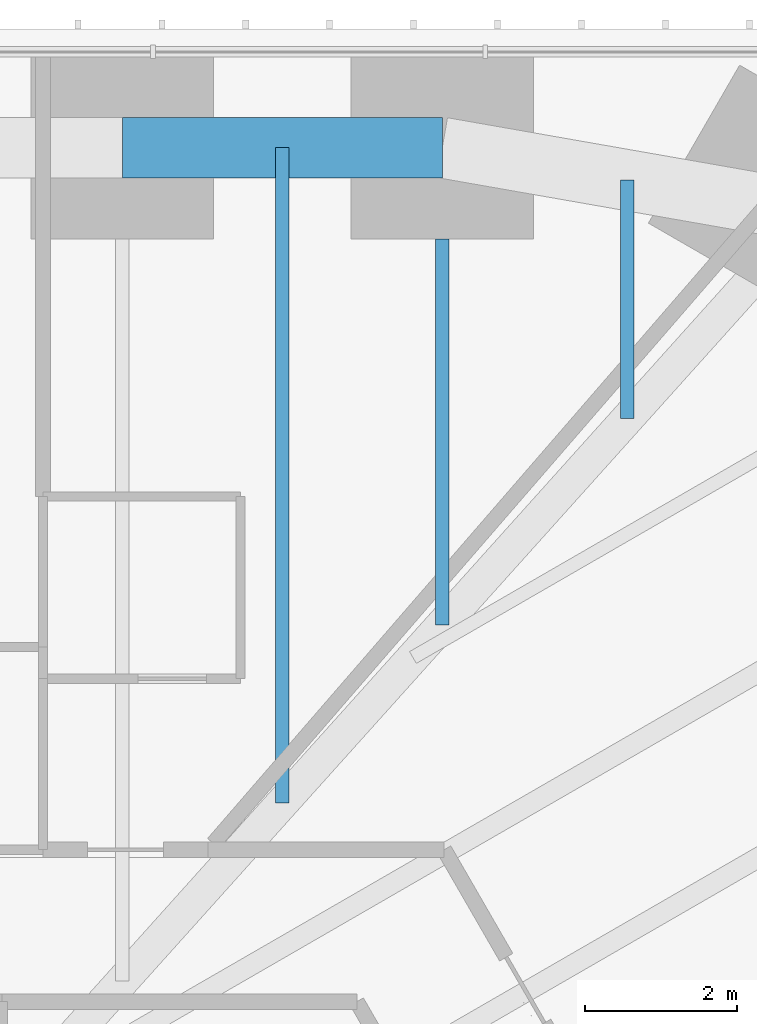
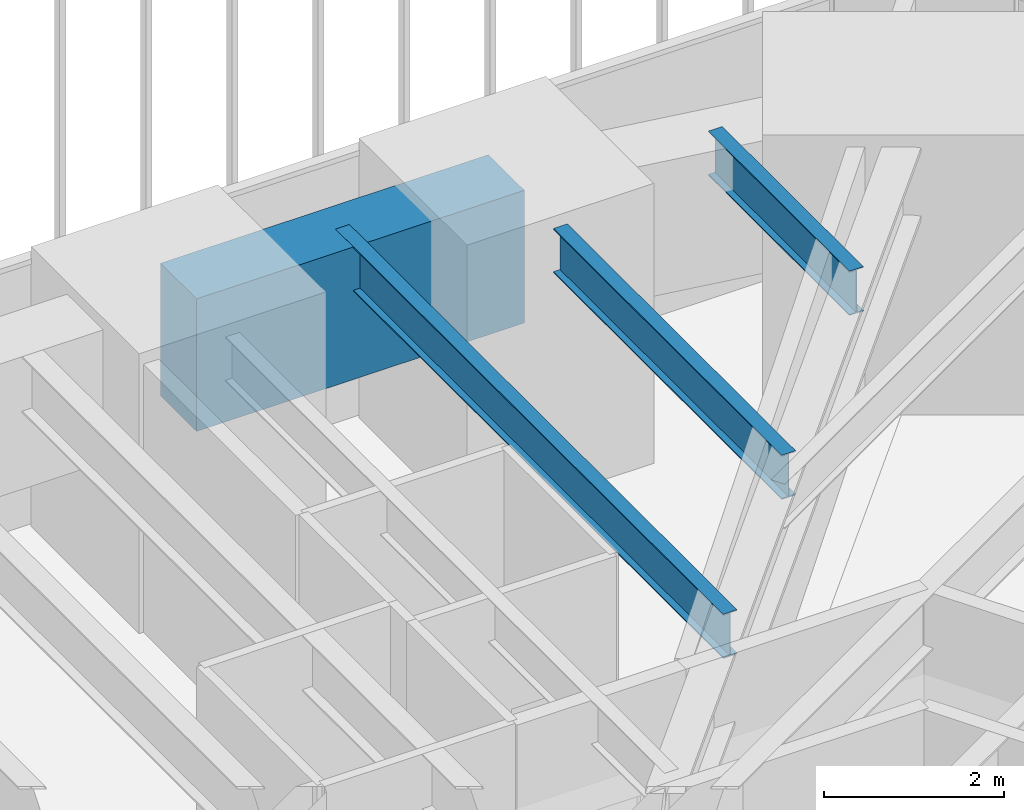
# One storey, part 225 of 256: 4 beams.
"""IFC4 building model written with IfcOpenShell, lengths in metres."""

from ifc_helpers import new_model, si_unit, direction, frame, origin, origin_2d, place, context, subcontext, project, spatial, rectangle, i_section, extrude, material, material_profile, profile_set, type_object, element, save


model = new_model("IFC4")

# Units and contexts
model_context = context("Model", 3, precision=1e-05, world=origin(), true_north=direction((0.0, 1.0)))
body_context = subcontext(model_context, "Body", "Model", "MODEL_VIEW")
ifc_project = project(units=[si_unit("LENGTHUNIT", "METRE"), si_unit("AREAUNIT", "SQUARE_METRE"), si_unit("VOLUMEUNIT", "CUBIC_METRE"), si_unit("PLANEANGLEUNIT", "RADIAN"), si_unit("MASSUNIT", "GRAM", prefix="KILO")], contexts=[model_context])

# Site, building, storey
site_placement = place(None, origin())
site = spatial("IfcSite", under=ifc_project, at=site_placement, CompositionType="ELEMENT")
building_placement = place(site_placement, origin())
building = spatial("IfcBuilding", under=site, at=building_placement, Name="Sandreach Pilgrim Tower", CompositionType="ELEMENT")
storey_placement = place(building_placement, frame((0.0, 0.0, 23.0)))
storey = spatial("IfcBuildingStorey", under=building, at=storey_placement, Name="L04", CompositionType="ELEMENT", Elevation=23.0)

# Beams
ifc_material_1 = material(Name="Steel ASTM A992 Grade 50", Category="steel")
ifc_material_profile_1 = material_profile(ifc_material_1, i_section(OverallWidth=0.1787109375, OverallDepth=0.60205078125, WebThickness=0.010986328125, FlangeThickness=0.014892578125, at=origin_2d()), Name="W24X62")
ifc_profile_set_1 = profile_set([ifc_material_profile_1], Name="Steel ASTM A992 Grade 50")
beam_type_1 = type_object("IfcBeamType", Name="Floor beam W24X62", PredefinedType="BEAM", material=ifc_profile_set_1)
beam_1_placement = place(storey_placement, frame((14.734619140625, 21.48876953125, 3.339111328125), z_axis=(0.0, -1.0, 0.0), x_axis=(1.0, 0.0, 0.0)))
element("IfcBeam", 1, at=beam_1_placement, inside=storey, type_object=beam_type_1, Name="BM L04 F08", PredefinedType="BEAM", context=body_context, shape_type="SweptSolid", body=[
    extrude(i_section(OverallWidth=0.1787109375, OverallDepth=0.60205078125, WebThickness=0.010986328125, FlangeThickness=0.014892578125, at=origin_2d()), origin(), (0.0, 0.0, 1.0), 5.079345703125),
])
beam_2_placement = place(storey_placement, frame((12.629638671875, 22.688720703125, 3.339111328125), z_axis=(0.0, -1.0, 0.0), x_axis=(1.0, 0.0, 0.0)))
element("IfcBeam", 2, at=beam_2_placement, inside=storey, type_object=beam_type_1, Name="BM L04 FM07", PredefinedType="BEAM", context=body_context, shape_type="SweptSolid", body=[
    extrude(i_section(OverallWidth=0.1787109375, OverallDepth=0.60205078125, WebThickness=0.010986328125, FlangeThickness=0.014892578125, at=origin_2d()), origin(), (0.0, 0.0, 1.0), 8.62353515625),
])
beam_3_placement = place(storey_placement, frame((17.17041015625, 22.26171875, 3.339111328125), z_axis=(0.0, -1.0, 0.0), x_axis=(1.0, 0.0, 0.0)))
element("IfcBeam", 3, at=beam_3_placement, inside=storey, type_object=beam_type_1, Name="BM L04 FM08", PredefinedType="BEAM", context=body_context, shape_type="SweptSolid", body=[
    extrude(i_section(OverallWidth=0.1787109375, OverallDepth=0.60205078125, WebThickness=0.010986328125, FlangeThickness=0.014892578125, at=origin_2d()), origin(), (0.0, 0.0, 1.0), 3.1396484375),
])
ifc_material_2 = material(Name="Concrete 10000 psi", Category="concrete")
ifc_material_profile_2 = material_profile(ifc_material_2, rectangle(XDim=0.800048828125, YDim=1.800048828125, at=origin_2d()), Name="RC800X1800")
ifc_profile_set_2 = profile_set([ifc_material_profile_2], Name="Concrete 10000 psi")
beam_type_2 = type_object("IfcBeamType", Name="Spandrel beam RC800X1800", PredefinedType="SPANDREL", material=ifc_profile_set_2)
beam_4_placement = place(storey_placement, frame((10.52490234375, 22.688720703125, 2.739990234375), z_axis=(1.0, 0.0, 0.0), x_axis=(0.0, 1.0, 0.0)))
element("IfcBeam", 4, at=beam_4_placement, inside=storey, type_object=beam_type_2, Name="BM L04 SP07", PredefinedType="SPANDREL", context=body_context, shape_type="SweptSolid", body=[
    extrude(rectangle(XDim=0.800048828125, YDim=1.800048828125, at=origin_2d()), origin(), (0.0, 0.0, 1.0), 4.209716796875),
])

save(model, "model.ifc")
